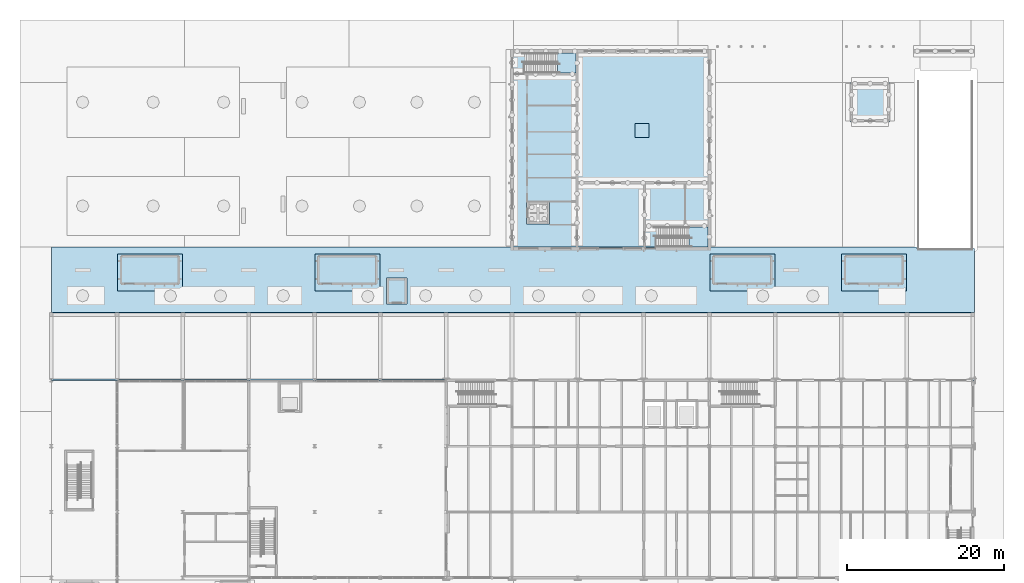
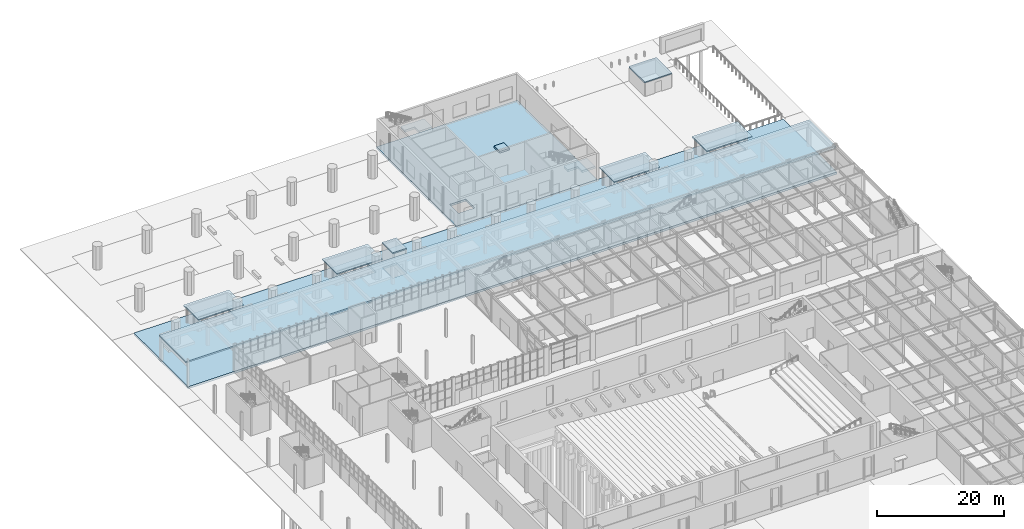
# One storey, part 53 of 127: 12 slabs, 2 elements without a shape of their own.
"""IFC4 building model written with IfcOpenShell, lengths in metres."""

from ifc_helpers import new_model, si_unit, direction, frame, origin, place, context, subcontext, project, spatial, polyline, outline, extrude, material, layer, layer_set, type_object, element, aggregate, save


model = new_model("IFC4")

# Units and contexts
model_context = context("Model", 3, precision=1e-05, world=origin(), true_north=direction((0.0, 1.0)))
body_context = subcontext(model_context, "Body", "Model", "MODEL_VIEW")
ifc_project = project(units=[si_unit("LENGTHUNIT", "METRE"), si_unit("AREAUNIT", "SQUARE_METRE"), si_unit("VOLUMEUNIT", "CUBIC_METRE"), si_unit("PLANEANGLEUNIT", "RADIAN"), si_unit("MASSUNIT", "GRAM", prefix="KILO")], contexts=[model_context])

# Site, building, storey
site_placement = place(None, origin())
site = spatial("IfcSite", under=ifc_project, at=site_placement, CompositionType="ELEMENT")
building_placement = place(site_placement, origin())
building = spatial("IfcBuilding", under=site, at=building_placement, Name="Ljudholm Concert House", CompositionType="ELEMENT")
storey_placement = place(building_placement, origin())
storey = spatial("IfcBuildingStorey", under=building, at=storey_placement, Name="L00", CompositionType="ELEMENT", Elevation=0.0)

# Slabs
ifc_material_1 = material(Name="Concrete 5,000 psi", Category="concrete")
ifc_layer_1 = layer(ifc_material_1, 0.409912109375)
ifc_layer_set_1 = layer_set([ifc_layer_1], Name="Concrete 5,000 psi")
slab_type_1 = type_object("IfcSlabType", Name="RC BASE SLAB 410", PredefinedType="BASESLAB", material=ifc_layer_set_1)
slab_1_placement = place(storey_placement, frame((0.0, 0.0, -0.409912109375)))
element("IfcSlab", 1, at=slab_1_placement, inside=storey, type_object=slab_type_1, Name="Ground slab of the rehearsal hall", PredefinedType="BASESLAB", context=body_context, shape_type="SweptSolid", body=[
    extrude(outline(polyline([(88.199951171875, 147.050048828125), (88.199951171875, 172.199951171875), (62.60009765625, 172.199951171875), (62.60009765625, 147.050048828125), (88.199951171875, 147.050048828125)]), holes=[polyline([(64.64990234375, 149.949951171875), (67.60009765625, 149.949951171875), (67.60009765625, 152.75), (64.64990234375, 152.75), (64.64990234375, 149.949951171875)])]), origin(), (0.0, 0.0, 1.0), 0.409912109375),
])
ifc_material_2 = material(Name="Concrete 5,000 psi", Category="concrete")
ifc_layer_2 = layer(ifc_material_2, 0.300048828125)
ifc_layer_set_2 = layer_set([ifc_layer_2], Name="Concrete 5,000 psi")
slab_type_2 = type_object("IfcSlabType", Name="RC FLOOR SLAB 300 NON-LOAD-BEARING", PredefinedType="FLOOR", material=ifc_layer_set_2)
slab_2_placement = place(storey_placement, origin())
element("IfcSlab", 2, at=slab_2_placement, inside=storey, type_object=slab_type_2, Name="Conductor's podium", PredefinedType="FLOOR", context=body_context, shape_type="SweptSolid", body=[
    extrude(outline(polyline([(78.5, 161.0), (80.300048828125, 161.0), (80.300048828125, 162.800048828125), (78.5, 162.800048828125), (78.5, 161.0)])), origin(), (0.0, 0.0, 1.0), 0.300048828125),
])
ifc_material_3 = material(Name="Concrete 5,000 psi", Category="concrete")
ifc_layer_3 = layer(ifc_material_3, 0.409912109375)
ifc_layer_set_3 = layer_set([ifc_layer_3], Name="Concrete 5,000 psi")
slab_type_3 = type_object("IfcSlabType", Name="RC FLOOR SLAB 410 EXTERNAL", PredefinedType="FLOOR", material=ifc_layer_set_3)
slab_3_placement = place(storey_placement, frame((0.0, 0.0, -0.409912109375)))
element("IfcSlab", 3, at=slab_3_placement, inside=storey, type_object=slab_type_3, Name="Passage deck", PredefinedType="FLOOR", context=body_context, shape_type="SweptSolid", body=[
    extrude(outline(polyline([(114.449951171875, 147.050048828125), (114.449951171875, 146.800048828125), (121.85009765625, 146.800048828125), (121.85009765625, 130.0), (4.0, 130.0), (4.0, 147.050048828125), (114.449951171875, 147.050048828125)]), holes=[polyline([(20.169921875, 142.449951171875), (20.169921875, 145.699951171875), (14.900390625, 145.699951171875), (14.900390625, 142.449951171875), (20.169921875, 142.449951171875)]), polyline([(40.1005859375, 142.449951171875), (45.3701171875, 142.449951171875), (45.3701171875, 145.699951171875), (40.1005859375, 145.699951171875), (40.1005859375, 142.449951171875)]), polyline([(90.50048828125, 145.699951171875), (90.50048828125, 142.449951171875), (95.77001953125, 142.449951171875), (95.77001953125, 145.699951171875), (90.50048828125, 145.699951171875)]), polyline([(112.570068359375, 145.699951171875), (107.300537109375, 145.699951171875), (107.300537109375, 142.449951171875), (112.570068359375, 142.449951171875), (112.570068359375, 145.699951171875)]), polyline([(49.40087890625, 139.715087890625), (49.40478515625, 139.716064453125), (49.40771484375, 139.71875), (49.40966796875, 139.72216796875), (49.409912109375, 139.72509765625), (49.409912109375, 143.074951171875), (49.40966796875, 143.077880859375), (49.40771484375, 143.081298828125), (49.40478515625, 143.083740234375), (49.39990234375, 143.0849609375), (46.800048828125, 143.0849609375), (46.797119140625, 143.08447265625), (46.793701171875, 143.082763671875), (46.790771484375, 143.078857421875), (46.7900390625, 143.074951171875), (46.7900390625, 139.72509765625), (46.79052734375, 139.72216796875), (46.792236328125, 139.71875), (46.795166015625, 139.716064453125), (46.800048828125, 139.715087890625), (49.40087890625, 139.715087890625)])]), origin(), (0.0, 0.0, 1.0), 0.409912109375),
])

# Stair, slab
ifc_material_4 = material(Name="Concrete 5,000 psi", Category="concrete")
stair_type = type_object("IfcStairType", Name="RC STAIR 1200x169x280", PredefinedType="HALF_TURN_STAIR", material=ifc_material_4)
stair_1_placement = place(storey_placement, origin())
stair_1 = element("IfcStair", 4, at=stair_1_placement, inside=storey, type_object=stair_type, Name="Exit stair S1", PredefinedType="HALF_TURN_STAIR")
ifc_material_5 = material(Name="Concrete 5,000 psi", Category="concrete")
ifc_layer_4 = layer(ifc_material_5, 0.409912109375)
ifc_layer_set_4 = layer_set([ifc_layer_4], Name="Concrete 5,000 psi")
slab_type_4 = type_object("IfcSlabType", Name="RC LANDING 410", PredefinedType="LANDING", material=ifc_layer_set_4)
slab_4_placement = place(storey_placement, frame((0.0, 0.0, 2.2900390625)))
slab_4 = element("IfcSlab", 5, at=slab_4_placement, type_object=slab_type_4, Name="Stair landing", PredefinedType="LANDING", context=body_context, shape_type="SweptSolid", body=[
    extrude(outline(polyline([(66.77001953125, 171.800048828125), (66.77001953125, 170.550048828125), (68.599609375, 170.550048828125), (68.599609375, 169.199951171875), (70.949951171875, 169.199951171875), (70.949951171875, 171.800048828125), (66.77001953125, 171.800048828125)])), origin(), (0.0, 0.0, 1.0), 0.409912109375),
])
aggregate(stair_1, [slab_4])

stair_2_placement = place(storey_placement, origin())
stair_2 = element("IfcStair", 6, at=stair_2_placement, inside=storey, type_object=stair_type, Name="Exit stair S2", PredefinedType="HALF_TURN_STAIR")
slab_5_placement = place(storey_placement, frame((0.0, 0.0, 2.2900390625)))
slab_5 = element("IfcSlab", 7, at=slab_5_placement, type_object=slab_type_4, Name="Stair landing", PredefinedType="LANDING", context=body_context, shape_type="SweptSolid", body=[
    extrude(outline(polyline([(83.570068359375, 149.60009765625), (83.570068359375, 148.35009765625), (85.3994140625, 148.35009765625), (85.3994140625, 147.0), (87.800048828125, 147.0), (87.800048828125, 149.60009765625), (83.570068359375, 149.60009765625)])), origin(), (0.0, 0.0, 1.0), 0.409912109375),
])
aggregate(stair_2, [slab_5])

# Slabs
ifc_material_6 = material(Name="Concrete 5,000 psi", Category="concrete")
ifc_layer_5 = layer(ifc_material_6, 0.199951171875)
ifc_layer_set_5 = layer_set([ifc_layer_5], Name="Concrete 5,000 psi")
slab_type_5 = type_object("IfcSlabType", Name="RC ROOF SLAB 200", PredefinedType="ROOF", material=ifc_layer_set_5)
slab_6_placement = place(storey_placement, frame((0.0, 0.0, 2.800048828125)))
element("IfcSlab", 8, at=slab_6_placement, inside=storey, type_object=slab_type_5, Name="Stair head-house roof", PredefinedType="ROOF", context=body_context, shape_type="SweptSolid", body=[
    extrude(outline(polyline([(12.449951171875, 141.425048828125), (20.7451171875, 141.425048828125), (20.7451171875, 146.125), (12.449951171875, 146.125), (12.449951171875, 141.425048828125)])), origin(), (0.0, 0.0, 1.0), 0.199951171875),
])
slab_7_placement = place(storey_placement, frame((0.0, 0.0, 2.800048828125)))
element("IfcSlab", 9, at=slab_7_placement, inside=storey, type_object=slab_type_5, Name="Stair head-house roof", PredefinedType="ROOF", context=body_context, shape_type="SweptSolid", body=[
    extrude(outline(polyline([(37.64990234375, 141.425048828125), (45.945068359375, 141.425048828125), (45.945068359375, 146.125), (37.64990234375, 146.125), (37.64990234375, 141.425048828125)])), origin(), (0.0, 0.0, 1.0), 0.199951171875),
])
slab_8_placement = place(storey_placement, frame((0.0, 0.0, 2.800048828125)))
element("IfcSlab", 10, at=slab_8_placement, inside=storey, type_object=slab_type_5, Name="Stair head-house roof", PredefinedType="ROOF", context=body_context, shape_type="SweptSolid", body=[
    extrude(outline(polyline([(88.050048828125, 141.425048828125), (96.344970703125, 141.425048828125), (96.344970703125, 146.125), (88.050048828125, 146.125), (88.050048828125, 141.425048828125)])), origin(), (0.0, 0.0, 1.0), 0.199951171875),
])
slab_9_placement = place(storey_placement, frame((0.0, 0.0, 2.800048828125)))
element("IfcSlab", 11, at=slab_9_placement, inside=storey, type_object=slab_type_5, Name="Stair head-house roof", PredefinedType="ROOF", context=body_context, shape_type="SweptSolid", body=[
    extrude(outline(polyline([(104.85009765625, 141.425048828125), (113.14501953125, 141.425048828125), (113.14501953125, 146.125), (104.85009765625, 146.125), (104.85009765625, 141.425048828125)])), origin(), (0.0, 0.0, 1.0), 0.199951171875),
])
slab_10_placement = place(storey_placement, frame((0.0, 0.0, 2.60009765625)))
element("IfcSlab", 12, at=slab_10_placement, inside=storey, type_object=slab_type_5, Name="Refuse store roof", PredefinedType="ROOF", context=body_context, shape_type="SweptSolid", body=[
    extrude(outline(polyline([(106.0, 163.0), (111.0, 163.0), (111.0, 168.0), (106.0, 168.0), (106.0, 163.0)])), origin(), (0.0, 0.0, 1.0), 0.199951171875),
])
ifc_material_7 = material(Name="Concrete 5,000 psi", Category="concrete")
ifc_layer_6 = layer(ifc_material_7, 0.25)
ifc_layer_set_6 = layer_set([ifc_layer_6], Name="Concrete 5,000 psi")
slab_type_6 = type_object("IfcSlabType", Name="RC ROOF SLAB 250", PredefinedType="ROOF", material=ifc_layer_set_6)
slab_11_placement = place(storey_placement, frame((0.0, 0.0, 4.60009765625)))
element("IfcSlab", 13, at=slab_11_placement, inside=storey, type_object=slab_type_6, Name="Lift overrun roof slab", PredefinedType="ROOF", context=body_context, shape_type="SweptSolid", body=[
    extrude(outline(polyline([(46.800048828125, 139.72509765625), (49.39990234375, 139.72509765625), (49.39990234375, 143.074951171875), (46.800048828125, 143.074951171875), (46.800048828125, 139.72509765625)])), origin(), (0.0, 0.0, 1.0), 0.25),
])
ifc_material_8 = material(Name="Concrete 5,000 psi", Category="concrete")
ifc_layer_7 = layer(ifc_material_8, 0.300048828125)
ifc_layer_set_7 = layer_set([ifc_layer_7], Name="Concrete 5,000 psi")
slab_type_7 = type_object("IfcSlabType", Name="RC ROOF SLAB 300", PredefinedType="ROOF", material=ifc_layer_set_7)
slab_12_placement = place(storey_placement, frame((0.0, 0.0, 4.5)))
element("IfcSlab", 14, at=slab_12_placement, inside=storey, type_object=slab_type_7, Name="Passage arcade roof slab", PredefinedType="ROOF", context=body_context, shape_type="SweptSolid", body=[
    extrude(outline(polyline([(3.75, 130.186767578125), (121.85009765625, 130.186767578125), (121.85009765625, 138.64990234375), (3.75, 138.64990234375), (3.75, 130.186767578125)])), origin(), (0.0, 0.0, 1.0), 0.300048828125),
])

save(model, "model.ifc")
